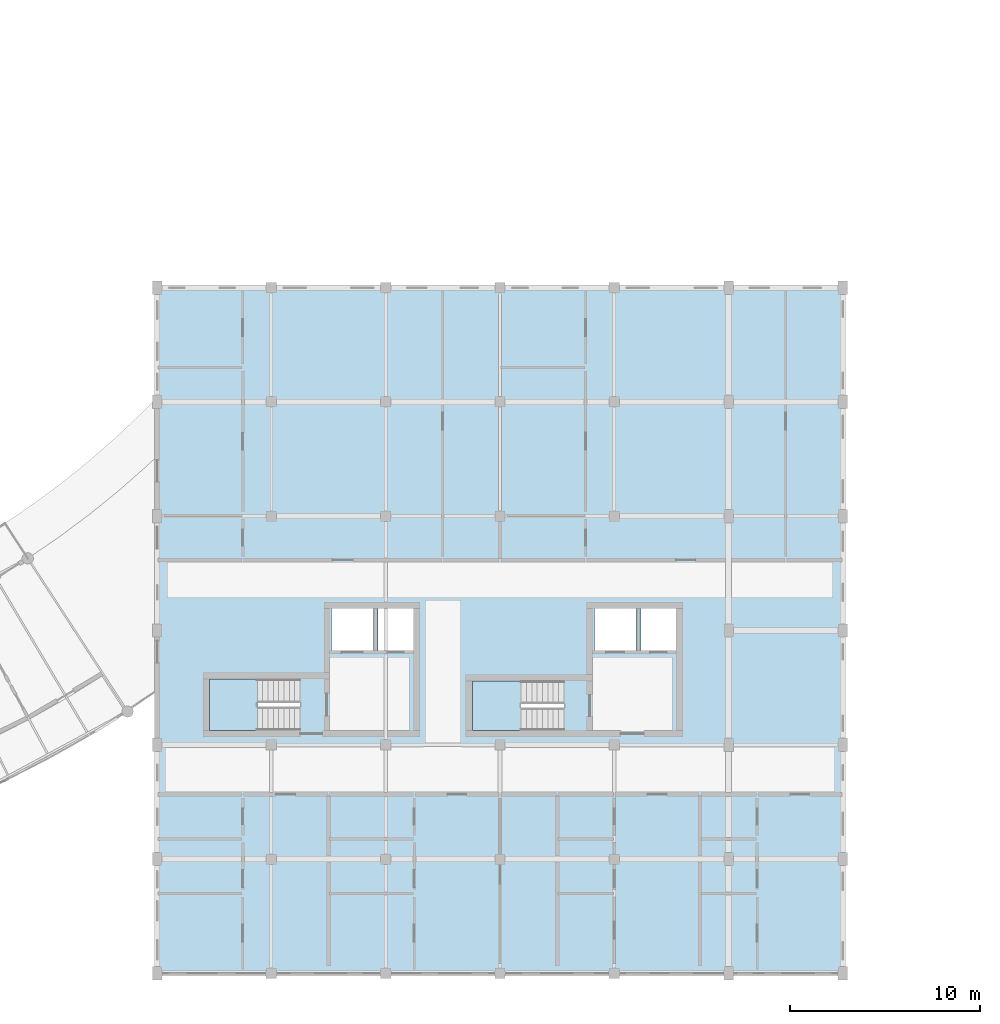
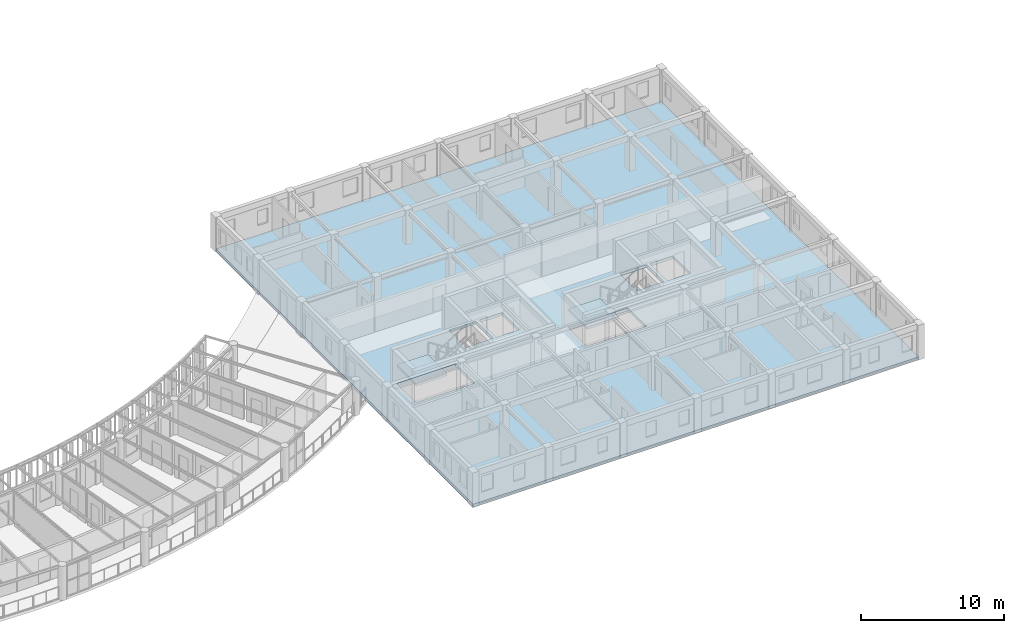
# One storey, part 47 of 101: 3 slabs, 2 elements without a shape of their own.
"""IFC4 building model written with IfcOpenShell, lengths in metres."""

import ifcopenshell
import ifcopenshell.guid

model = None  # the IFC model being written
_history = None  # IfcOwnerHistory: only IFC2X3 demands one
_inside = {}  # id of a spatial element -> (the spatial element, [elements in it])
_under = {}  # id of a project, library or spatial element -> (it, [spatial elements below it])
_declared = {}  # id of a project -> (the project, [libraries it declares])
_typed = {}  # id of a type object -> (the type object, [elements of that type])
_made_of = {}  # id of a material, layer set ... -> (it, [elements and type objects made of it])


def new_model(schema):
    """Start an empty IFC model of exactly this schema.

    Asked for "IFC4X3", IfcOpenShell would pick the latest addendum, in which some entities
    have other attributes; the version numbers below select the first issue.
    IFC2X3 requires an IfcOwnerHistory on every rooted entity: one is made here for all.
    """
    global model, _history
    if schema == "IFC4X3":
        model = ifcopenshell.file(schema_version=(4, 3, 0, 0))
    else:
        model = ifcopenshell.file(schema=schema)
    _inside.clear()
    _under.clear()
    _declared.clear()
    _typed.clear()
    _made_of.clear()
    _history = None
    if model.schema == "IFC2X3":
        org = make("IfcOrganization", Name="unknown")
        user = make(
            "IfcPersonAndOrganization",
            ThePerson=make("IfcPerson", FamilyName="unknown"),
            TheOrganization=org,
        )
        app = make(
            "IfcApplication",
            ApplicationDeveloper=org,
            Version="unknown",
            ApplicationFullName="unknown",
            ApplicationIdentifier="unknown",
        )
        _history = make(
            "IfcOwnerHistory",
            OwningUser=user,
            OwningApplication=app,
            ChangeAction="ADDED",
            CreationDate=0,
        )
    return model


def make(cls, **values):
    """One entity of the class cls with the attributes given. An attribute that is None is left unset."""
    return model.create_entity(
        cls, **{name: value for name, value in values.items() if value is not None}
    )


def rooted(cls, **values):
    """An entity with a GlobalId (a new one), such as an element, a storey or a relation."""
    return make(cls, GlobalId=ifcopenshell.guid.new(), OwnerHistory=_history, **values)


def si_unit(unit_type, name, prefix=None):
    """IfcSIUnit, for example si_unit("LENGTHUNIT", "METRE", prefix="MILLI")."""
    return make("IfcSIUnit", UnitType=unit_type, Prefix=prefix, Name=name)


def assignment(units):
    """IfcUnitAssignment: the units of a project."""
    return None if units is None else make("IfcUnitAssignment", Units=units)


def point(xyz):
    """IfcCartesianPoint."""
    return None if xyz is None else make("IfcCartesianPoint", Coordinates=xyz)


def direction(xyz):
    """IfcDirection."""
    return None if xyz is None else make("IfcDirection", DirectionRatios=xyz)


def frame(location, z_axis=None, x_axis=None):
    """IfcAxis2Placement3D, a coordinate frame: its origin and axes. An axis left out is left unset."""
    return make(
        "IfcAxis2Placement3D",
        Location=point(location),
        Axis=direction(z_axis),
        RefDirection=direction(x_axis),
    )


def origin():
    """The frame at (0, 0, 0) with its axes left unset."""
    return frame((0.0, 0.0, 0.0))


def place(relative_to, where):
    """IfcLocalPlacement: puts the frame where relative to a parent placement (None: the world)."""
    return make(
        "IfcLocalPlacement", PlacementRelTo=relative_to, RelativePlacement=where
    )


def context(
    kind, dimensions, precision=None, world=None, true_north=None, identifier=None
):
    """IfcGeometricRepresentationContext, for example the 3D "Model" context."""
    return make(
        "IfcGeometricRepresentationContext",
        ContextIdentifier=identifier,
        ContextType=kind,
        CoordinateSpaceDimension=dimensions,
        Precision=precision,
        WorldCoordinateSystem=world,
        TrueNorth=true_north,
    )


def subcontext(parent, identifier, kind, view, scale=None):
    """IfcGeometricRepresentationSubContext, for example "Body" below "Model"."""
    return make(
        "IfcGeometricRepresentationSubContext",
        ContextIdentifier=identifier,
        ContextType=kind,
        ParentContext=parent,
        TargetScale=scale,
        TargetView=view,
    )


def project(units=None, contexts=None):
    """IfcProject with its units and contexts."""
    return rooted(
        "IfcProject",
        Name="project",
        RepresentationContexts=contexts,
        UnitsInContext=assignment(units),
    )


def spatial(cls, under=None, at=None, **own):
    """A site, building, storey or space (cls), placed at a placement, below another one or the project."""
    s = rooted(cls, ObjectPlacement=at, **own)
    if under is not None:
        _under.setdefault(under.id(), (under, []))[1].append(s)
    return s


def polyline(points):
    """IfcPolyline through the points."""
    return make("IfcPolyline", Points=[point(p) for p in points])


def outline(outer, holes=None, kind="AREA"):
    """IfcArbitraryClosedProfileDef: a profile drawn as a closed curve; with holes, ...WithVoids."""
    if holes is None:
        return make("IfcArbitraryClosedProfileDef", ProfileType=kind, OuterCurve=outer)
    return make(
        "IfcArbitraryProfileDefWithVoids",
        ProfileType=kind,
        OuterCurve=outer,
        InnerCurves=holes,
    )


def extrude(swept, where, along, depth):
    """IfcExtrudedAreaSolid: the profile swept, set in the frame where, extruded along a direction by depth."""
    return make(
        "IfcExtrudedAreaSolid",
        SweptArea=swept,
        Position=where,
        ExtrudedDirection=direction(along),
        Depth=depth,
    )


def shape(context_of_items, identifier, shape_type, items):
    """IfcShapeRepresentation: the items that make up one representation, for example the "Body"."""
    return make(
        "IfcShapeRepresentation",
        ContextOfItems=context_of_items,
        RepresentationIdentifier=identifier,
        RepresentationType=shape_type,
        Items=items,
    )


def material(Name=None, Category=None):
    """IfcMaterial."""
    return make("IfcMaterial", Name=Name, Category=Category)


def layer(
    of_material, thickness, ventilated=None, Name=None, Category=None, Priority=None
):
    """IfcMaterialLayer: one layer of a wall or slab, of a material (None: an air gap)."""
    return make(
        "IfcMaterialLayer",
        Material=of_material,
        LayerThickness=thickness,
        IsVentilated=ventilated,
        Name=Name,
        Category=Category,
        Priority=Priority,
    )


def layer_set(layers, Name=None):
    """IfcMaterialLayerSet."""
    return make("IfcMaterialLayerSet", MaterialLayers=layers, LayerSetName=Name)


def made_of(thing, what):
    """Note that an element or type object is made of a material, layer set ...; save() writes the relation."""
    if what is not None:
        _made_of.setdefault(what.id(), (what, []))[1].append(thing)
    return thing


def type_object(cls, material=None, **own):
    """A type object (cls), such as IfcWallType, which elements share."""
    return made_of(rooted(cls, **own), material)


def element(
    cls,
    number,
    at=None,
    inside=None,
    cuts=None,
    type_object=None,
    material=None,
    context=None,
    identifier="Body",
    shape_type=None,
    held_by="IfcProductDefinitionShape",
    body=None,
    shapes=None,
    **own,
):
    """One element of the class cls, such as IfcWall. Its Tag is "e" and its number.

    at: its placement. inside: the storey or other place that contains it. cuts: it is an
    opening in that element (IfcRelVoidsElement). A single representation is given by context,
    identifier, shape_type and body (its items); several are given by shapes. held_by: the class
    of the entity that holds the representations. save() writes the other relations.
    """
    e = rooted(cls, Tag="e%d" % number, ObjectPlacement=at, **own)
    if body is not None:
        shapes = [shape(context, identifier, shape_type, body)]
    if shapes is not None:
        e.Representation = make(held_by, Representations=shapes)
    if inside is not None:
        _inside.setdefault(inside.id(), (inside, []))[1].append(e)
    if cuts is not None:
        rooted(
            "IfcRelVoidsElement", RelatingBuildingElement=cuts, RelatedOpeningElement=e
        )
    if type_object is not None:
        _typed.setdefault(type_object.id(), (type_object, []))[1].append(e)
    return made_of(e, material)


def aggregate(whole, parts):
    """IfcRelAggregates: a whole, such as a stair, and the parts it consists of."""
    return rooted("IfcRelAggregates", RelatingObject=whole, RelatedObjects=parts)


def save(model, path):
    """Write the relations noted so far, then the file.

    IfcRelAggregates (storeys below a building ...), IfcRelContainedInSpatialStructure (elements
    in a storey), IfcRelDefinesByType, IfcRelAssociatesMaterial and IfcRelDeclares: one each for
    every whole, place, type object, material and project.
    """
    for whole, parts in _under.values():
        aggregate(whole, parts)
    for where, things in _inside.values():
        rooted(
            "IfcRelContainedInSpatialStructure",
            RelatedElements=things,
            RelatingStructure=where,
        )
    for kind, things in _typed.values():
        rooted("IfcRelDefinesByType", RelatedObjects=things, RelatingType=kind)
    for what, things in _made_of.values():
        rooted("IfcRelAssociatesMaterial", RelatedObjects=things, RelatingMaterial=what)
    for by, libraries in _declared.values():
        rooted("IfcRelDeclares", RelatingContext=by, RelatedDefinitions=libraries)
    model.write(path)


model = new_model("IFC4")

# Units and contexts
model_context = context("Model", 3, precision=1e-05, world=origin(), true_north=direction((0.0, 1.0)))
body_context = subcontext(model_context, "Body", "Model", "MODEL_VIEW")
ifc_project = project(units=[si_unit("LENGTHUNIT", "METRE"), si_unit("AREAUNIT", "SQUARE_METRE"), si_unit("VOLUMEUNIT", "CUBIC_METRE"), si_unit("PLANEANGLEUNIT", "RADIAN"), si_unit("MASSUNIT", "GRAM", prefix="KILO"), si_unit("POWERUNIT", "WATT"), si_unit("THERMODYNAMICTEMPERATUREUNIT", "KELVIN")], contexts=[model_context])

# Site, building, storey
site_placement = place(None, origin())
site = spatial("IfcSite", under=ifc_project, at=site_placement, CompositionType="ELEMENT")
building_placement = place(site_placement, origin())
building = spatial("IfcBuilding", under=site, at=building_placement, Name="Ruvembo Vaulted Housing Court", CompositionType="ELEMENT")
storey_placement = place(building_placement, frame((0.0, 0.0, 17.300048828125)))
storey = spatial("IfcBuildingStorey", under=building, at=storey_placement, Name="L05", CompositionType="ELEMENT", Elevation=17.300048828125)

# Slab
ifc_material_1 = material(Name="Concrete C30/37", Category="concrete")
ifc_layer_1 = layer(ifc_material_1, 0.25, Name="Concrete C30/37")
ifc_layer_set_1 = layer_set([ifc_layer_1], Name="Concrete C30/37")
slab_type_1 = type_object("IfcSlabType", Name="SL-FLR-250", PredefinedType="FLOOR", material=ifc_layer_set_1)
slab_1_placement = place(storey_placement, frame((0.0, 0.0, -0.25)))
element("IfcSlab", 1, at=slab_1_placement, inside=storey, type_object=slab_type_1, Name="Block C L05 Structural Floor Slab", PredefinedType="FLOOR", context=body_context, shape_type="SweptSolid", body=[
    extrude(outline(polyline([(138.0, 0.0), (138.0, 36.0), (102.0, 36.0), (102.0, 0.0), (138.0, 0.0)]), holes=[polyline([(109.5, 15.449951171875), (104.75, 15.449951171875), (104.75, 12.75), (109.5, 12.75), (109.5, 15.449951171875)]), polyline([(111.14990234375, 16.85009765625), (113.35009765625, 16.85009765625), (113.35009765625, 19.25), (111.14990234375, 19.25), (111.14990234375, 16.85009765625)]), polyline([(113.60009765625, 16.85009765625), (115.449951171875, 16.85009765625), (115.449951171875, 19.25), (113.60009765625, 19.25), (113.60009765625, 16.85009765625)]), polyline([(123.35009765625, 15.35009765625), (118.550048828125, 15.35009765625), (118.550048828125, 12.75), (123.35009765625, 12.75), (123.35009765625, 15.35009765625)]), polyline([(124.949951171875, 16.85009765625), (127.14990234375, 16.85009765625), (127.14990234375, 19.25), (124.949951171875, 19.25), (124.949951171875, 16.85009765625)]), polyline([(127.39990234375, 16.85009765625), (129.25, 16.85009765625), (129.25, 19.25), (127.39990234375, 19.25), (127.39990234375, 16.85009765625)])]), origin(), (0.0, 0.0, 1.0), 0.25),
])

# Stair, slab
ifc_material_2 = material(Name="Concrete C35/45", Category="concrete")
stair_type_1 = type_object("IfcStairType", Name="STR-CORE-1250", PredefinedType="HALF_TURN_STAIR", material=ifc_material_2)
stair_1_placement = place(storey_placement, origin())
stair_1 = element("IfcStair", 2, at=stair_1_placement, inside=storey, type_object=stair_type_1, Name="L05 Protected Exit Stair ST-C1", PredefinedType="HALF_TURN_STAIR")
ifc_layer_2 = layer(ifc_material_1, 0.201904296875, Name="Concrete C30/37")
ifc_layer_set_2 = layer_set([ifc_layer_2], Name="Concrete C30/37")
slab_type_2 = type_object("IfcSlabType", Name="SL-LAND-202", PredefinedType="LANDING", material=ifc_layer_set_2)
slab_2_placement = place(storey_placement, frame((0.0, 0.0, 1.39990234375)))
slab_2 = element("IfcSlab", 3, at=slab_2_placement, type_object=slab_type_2, Name="ST-C1 landing 1", PredefinedType="LANDING", context=body_context, shape_type="SweptSolid", body=[
    extrude(outline(polyline([(107.260009765625, 15.449951171875), (104.75, 15.449951171875), (104.75, 12.75), (107.260009765625, 12.75), (107.260009765625, 15.449951171875)])), origin(), (0.0, 0.0, 1.0), 0.199951171875),
])
aggregate(stair_1, [slab_2])

stair_type_2 = type_object("IfcStairType", Name="STR-CORE-1200", PredefinedType="HALF_TURN_STAIR", material=ifc_material_2)
stair_2_placement = place(storey_placement, origin())
stair_2 = element("IfcStair", 4, at=stair_2_placement, inside=storey, type_object=stair_type_2, Name="L05 Protected Exit Stair ST-C2", PredefinedType="HALF_TURN_STAIR")
slab_3_placement = place(storey_placement, frame((0.0, 0.0, 1.39990234375)))
slab_3 = element("IfcSlab", 5, at=slab_3_placement, type_object=slab_type_2, Name="ST-C2 landing 1", PredefinedType="LANDING", context=body_context, shape_type="SweptSolid", body=[
    extrude(outline(polyline([(121.110107421875, 15.35009765625), (118.550048828125, 15.35009765625), (118.550048828125, 12.75), (121.110107421875, 12.75), (121.110107421875, 15.35009765625)])), origin(), (0.0, 0.0, 1.0), 0.199951171875),
])
aggregate(stair_2, [slab_3])

save(model, "model.ifc")
